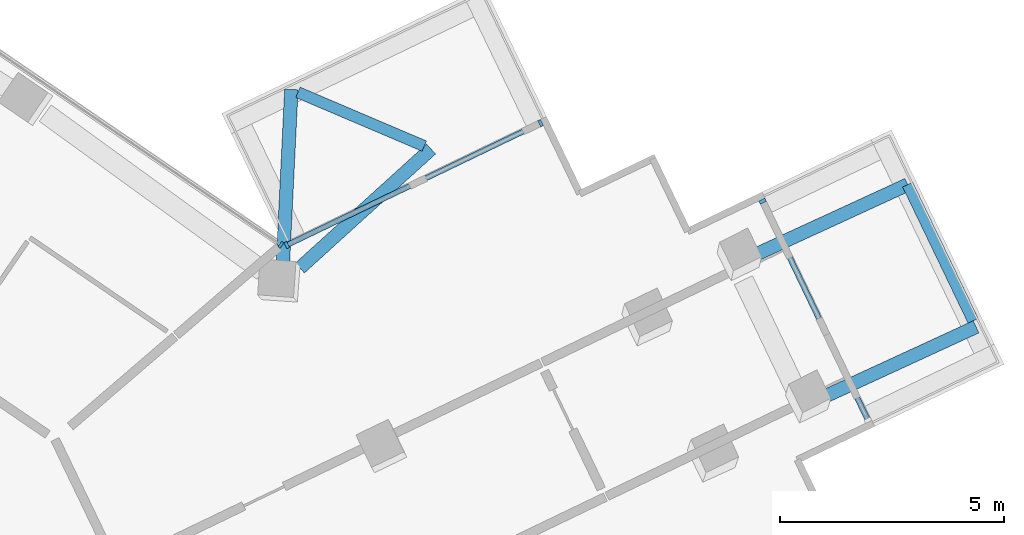
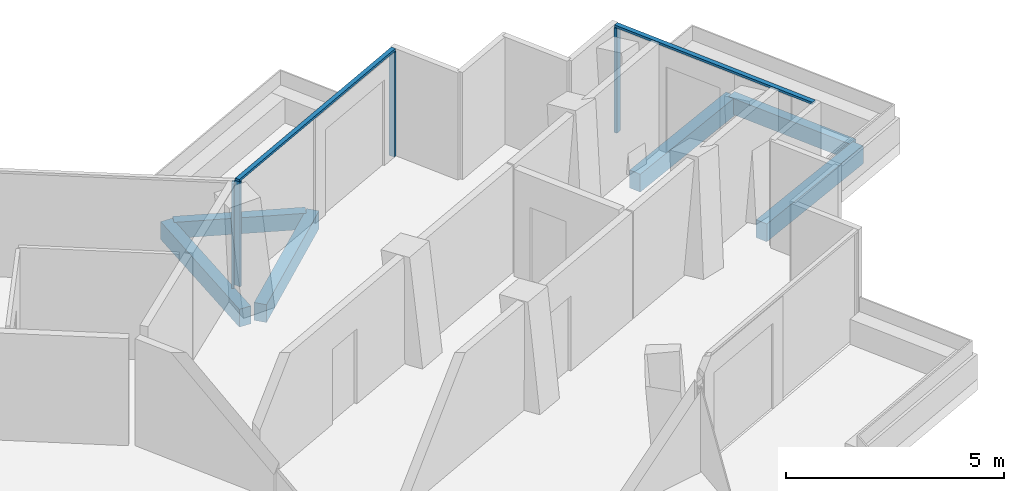
# One storey, part 10 of 23: 6 beams, 6 members, 3 elements without a shape of their own.
"""IFC4 building model written with IfcOpenShell, lengths in metres."""

from ifc_helpers import new_model, si_unit, direction, frame, origin, origin_2d, place, context, subcontext, project, spatial, rectangle, extrude, material, layer, layer_set, material_profile, profile_set, type_object, element, aggregate, save


model = new_model("IFC4")

# Units and contexts
model_context = context("Model", 3, precision=1e-05, world=origin(), true_north=direction((0.0, 1.0)))
body_context = subcontext(model_context, "Body", "Model", "MODEL_VIEW")
ifc_project = project(units=[si_unit("LENGTHUNIT", "METRE"), si_unit("AREAUNIT", "SQUARE_METRE"), si_unit("VOLUMEUNIT", "CUBIC_METRE"), si_unit("PLANEANGLEUNIT", "RADIAN"), si_unit("MASSUNIT", "GRAM", prefix="KILO")], contexts=[model_context])

# Site, building, storey
site_placement = place(None, origin())
site = spatial("IfcSite", under=ifc_project, at=site_placement, CompositionType="ELEMENT")
building_placement = place(site_placement, origin())
building = spatial("IfcBuilding", under=site, at=building_placement, Name="Verdalira Terraces Hotel", CompositionType="ELEMENT")
storey_placement = place(building_placement, frame((0.0, 0.0, 259.5)))
storey = spatial("IfcBuildingStorey", under=building, at=storey_placement, Name="L64", CompositionType="ELEMENT", Elevation=259.5)

# Beams
ifc_material_1 = material(Name="Concrete C40", Category="concrete")
ifc_material_profile_1 = material_profile(ifc_material_1, rectangle(XDim=0.300049, YDim=0.5, at=origin_2d()), Name="RC 300X500")
ifc_profile_set_1 = profile_set([ifc_material_profile_1], Name="Concrete C40")
beam_type_1 = type_object("IfcBeamType", Name="Balcony cantilever beam RC 300X500 C40", PredefinedType="BEAM", material=ifc_profile_set_1)
beam_1_placement = place(storey_placement, frame((30.99585, 12.890625, -0.560059), z_axis=(0.908351789, 0.418206919, 0.0), x_axis=(-0.418206919, 0.908351789, 0.0)))
element("IfcBeam", 1, at=beam_1_placement, inside=storey, type_object=beam_type_1, Name="Balcony cantilever beam R33-1", PredefinedType="BEAM", context=body_context, shape_type="SweptSolid", body=[
    extrude(rectangle(XDim=0.300049, YDim=0.5, at=origin_2d()), origin(), (0.0, 0.0, 1.0), 3.838379),
])
beam_2_placement = place(storey_placement, frame((29.475098, 16.065186, -0.560059), z_axis=(0.908357895, 0.418193657, 0.0), x_axis=(-0.418193657, 0.908357895, 0.0)))
element("IfcBeam", 2, at=beam_2_placement, inside=storey, type_object=beam_type_1, Name="Balcony cantilever beam R33-2", PredefinedType="BEAM", context=body_context, shape_type="SweptSolid", body=[
    extrude(rectangle(XDim=0.300049, YDim=0.5, at=origin_2d()), origin(), (0.0, 0.0, 1.0), 3.833252),
])
beam_3_placement = place(storey_placement, frame((19.402344, 15.80835, -0.560059), z_axis=(0.740666815, 0.671872509, 0.0), x_axis=(-0.671872509, 0.740666815, 0.0)))
element("IfcBeam", 3, at=beam_3_placement, inside=storey, type_object=beam_type_1, Name="Balcony cantilever beam R38-1", PredefinedType="BEAM", context=body_context, shape_type="SweptSolid", body=[
    extrude(rectangle(XDim=0.300049, YDim=0.5, at=origin_2d()), origin(), (0.0, 0.0, 1.0), 3.949951),
])
beam_4_placement = place(storey_placement, frame((19.02002, 15.843506, -0.560059), z_axis=(0.048639842, 0.998816382, 0.0), x_axis=(-0.998816382, 0.048639842, 0.0)))
element("IfcBeam", 4, at=beam_4_placement, inside=storey, type_object=beam_type_1, Name="Balcony cantilever beam R38-2", PredefinedType="BEAM", context=body_context, shape_type="SweptSolid", body=[
    extrude(rectangle(XDim=0.300049, YDim=0.5, at=origin_2d()), origin(), (0.0, 0.0, 1.0), 3.950195),
])
ifc_material_2 = material(Name="Concrete C40", Category="concrete")
ifc_material_profile_2 = material_profile(ifc_material_2, rectangle(XDim=0.25, YDim=0.449951, at=origin_2d()), Name="RC 250X450")
ifc_profile_set_2 = profile_set([ifc_material_profile_2], Name="Concrete C40")
beam_type_2 = type_object("IfcBeamType", Name="Balcony edge beam RC 250X450 C40", PredefinedType="BEAM", material=ifc_profile_set_2)
beam_5_placement = place(storey_placement, frame((34.41748, 14.631104, -0.534912), z_axis=(-0.433366857, 0.901217603, 0.0), x_axis=(-0.901217603, -0.433366857, 0.0)))
element("IfcBeam", 5, at=beam_5_placement, inside=storey, type_object=beam_type_2, Name="Balcony edge beam R33-1", PredefinedType="BEAM", context=body_context, shape_type="SweptSolid", body=[
    extrude(rectangle(XDim=0.25, YDim=0.449951, at=origin_2d()), origin(), (0.0, 0.0, 1.0), 3.370117),
])
beam_6_placement = place(storey_placement, frame((22.176025, 18.526855, -0.534912), z_axis=(-0.920062306, 0.391772067, 0.0), x_axis=(-0.391772067, -0.920062306, 0.0)))
element("IfcBeam", 6, at=beam_6_placement, inside=storey, type_object=beam_type_2, Name="Balcony edge beam R38-1", PredefinedType="BEAM", context=body_context, shape_type="SweptSolid", body=[
    extrude(rectangle(XDim=0.25, YDim=0.449951, at=origin_2d()), origin(), (0.0, 0.0, 1.0), 3.061523),
])

# Curtain wall, member
ifc_material_3 = material(Name="Clear glass", Category="glass")
ifc_layer_1 = layer(ifc_material_3, 0.14990234375)
ifc_layer_set_1 = layer_set([ifc_layer_1], Name="CW1 curtain wall")
curtain_wall_type_1 = type_object("IfcCurtainWallType", Name="CW1 curtain wall", PredefinedType="NOTDEFINED", material=ifc_layer_set_1)
curtain_wall_1_placement = place(storey_placement, origin())
curtain_wall_1 = element("IfcCurtainWall", 7, at=curtain_wall_1_placement, inside=storey, type_object=curtain_wall_type_1, Name="CW1 curtain wall L64 edge 39", PredefinedType="NOTDEFINED")
ifc_material_4 = material(Name="Terracotta frame", Category="masonry")
ifc_material_profile_3 = material_profile(ifc_material_4, rectangle(XDim=0.060059, YDim=0.149902, at=origin_2d()), Name="MU 60x150")
ifc_profile_set_3 = profile_set([ifc_material_profile_3], Name="Terracotta frame")
member_type_1 = type_object("IfcMemberType", Name="CW1 mullion 60x150", PredefinedType="MULLION", material=ifc_profile_set_3)
member_1_placement = place(storey_placement, frame((18.978516, 16.325195, 0.0), z_axis=(0.0, 0.0, 1.0), x_axis=(-0.825901536, 0.563814377, 0.0)))
member_1 = element("IfcMember", 8, at=member_1_placement, type_object=member_type_1, Name="CW1 mullion", PredefinedType="MULLION", context=body_context, shape_type="SweptSolid", body=[
    extrude(rectangle(XDim=0.060059, YDim=0.149902, at=origin_2d()), origin(), (0.0, 0.0, 1.0), 2.935059),
])
aggregate(curtain_wall_1, [member_1])

# Curtain wall, members
ifc_material_5 = material(Name="Clear glass", Category="glass")
ifc_layer_2 = layer(ifc_material_5, 0.14990234375)
ifc_layer_set_2 = layer_set([ifc_layer_2], Name="CW2 curtain wall")
curtain_wall_type_2 = type_object("IfcCurtainWallType", Name="CW2 curtain wall", PredefinedType="NOTDEFINED", material=ifc_layer_set_2)
curtain_wall_2_placement = place(storey_placement, origin())
curtain_wall_2 = element("IfcCurtainWall", 9, at=curtain_wall_2_placement, inside=storey, type_object=curtain_wall_type_2, Name="CW2 curtain wall L64 edge 38", PredefinedType="NOTDEFINED")
ifc_material_6 = material(Name="Terracotta frame", Category="masonry")
ifc_material_profile_4 = material_profile(ifc_material_6, rectangle(XDim=0.070068, YDim=0.149902, at=origin_2d()), Name="MU 70x150")
ifc_profile_set_4 = profile_set([ifc_material_profile_4], Name="Terracotta frame")
member_type_2 = type_object("IfcMemberType", Name="CW2 mullion 70x150", PredefinedType="MULLION", material=ifc_profile_set_4)
member_2_placement = place(storey_placement, frame((24.769043, 19.039062, 0.0), z_axis=(0.0, 0.0, 1.0), x_axis=(-0.901228342, -0.433344523, 0.0)))
member_2 = element("IfcMember", 10, at=member_2_placement, type_object=member_type_2, Name="CW2 mullion", PredefinedType="MULLION", context=body_context, shape_type="SweptSolid", body=[
    extrude(rectangle(XDim=0.070068, YDim=0.149902, at=origin_2d()), origin(), (0.0, 0.0, 1.0), 2.935059),
])
member_3_placement = place(storey_placement, frame((19.109619, 16.317871, 0.0), z_axis=(0.0, 0.0, 1.0), x_axis=(-0.901228342, -0.433344523, 0.0)))
member_3 = element("IfcMember", 11, at=member_3_placement, type_object=member_type_2, Name="CW2 mullion", PredefinedType="MULLION", context=body_context, shape_type="SweptSolid", body=[
    extrude(rectangle(XDim=0.070068, YDim=0.149902, at=origin_2d()), origin(), (0.0, 0.0, 1.0), 2.935059),
])
ifc_material_7 = material(Name="Terracotta frame", Category="masonry")
ifc_material_profile_5 = material_profile(ifc_material_7, rectangle(XDim=0.11499, YDim=0.064941, at=origin_2d()), Name="TR 65x115")
ifc_profile_set_5 = profile_set([ifc_material_profile_5], Name="Terracotta frame")
member_type_3 = type_object("IfcMemberType", Name="CW2 transom 65x115", PredefinedType="USERDEFINED", material=ifc_profile_set_5)
member_4_placement = place(storey_placement, frame((24.800781, 19.054199, 2.967529), z_axis=(-0.901225859, -0.433349687, 0.0), x_axis=(0.433349687, -0.901225859, 0.0)))
member_4 = element("IfcMember", 12, at=member_4_placement, type_object=member_type_3, Name="CW2 transom", ObjectType="TRANSOM", PredefinedType="USERDEFINED", context=body_context, shape_type="SweptSolid", body=[
    extrude(rectangle(XDim=0.11499, YDim=0.064941, at=origin_2d()), origin(), (0.0, 0.0, 1.0), 6.349854),
])
aggregate(curtain_wall_2, [member_2, member_3, member_4])

ifc_material_8 = material(Name="Clear glass", Category="glass")
ifc_layer_3 = layer(ifc_material_8, 0.14990234375)
ifc_layer_set_3 = layer_set([ifc_layer_3], Name="CW3 curtain wall")
curtain_wall_type_3 = type_object("IfcCurtainWallType", Name="CW3 curtain wall", PredefinedType="NOTDEFINED", material=ifc_layer_set_3)
curtain_wall_3_placement = place(storey_placement, origin())
curtain_wall_3 = element("IfcCurtainWall", 13, at=curtain_wall_3_placement, inside=storey, type_object=curtain_wall_type_3, Name="CW3 curtain wall L64 edge 33", PredefinedType="NOTDEFINED")
ifc_material_9 = material(Name="Terracotta frame", Category="masonry")
ifc_material_profile_6 = material_profile(ifc_material_9, rectangle(XDim=0.080078, YDim=0.149902, at=origin_2d()), Name="MU 80x150")
ifc_profile_set_6 = profile_set([ifc_material_profile_6], Name="Terracotta frame")
member_type_4 = type_object("IfcMemberType", Name="CW3 mullion 80x150", PredefinedType="MULLION", material=ifc_profile_set_6)
member_5_placement = place(storey_placement, frame((29.722656, 17.298828, 0.0), z_axis=(0.0, 0.0, 1.0), x_axis=(-0.433344523, 0.901228342, 0.0)))
member_5 = element("IfcMember", 14, at=member_5_placement, type_object=member_type_4, Name="CW3 mullion", PredefinedType="MULLION", context=body_context, shape_type="SweptSolid", body=[
    extrude(rectangle(XDim=0.080078, YDim=0.149902, at=origin_2d()), origin(), (0.0, 0.0, 1.0), 2.935059),
])
ifc_material_10 = material(Name="Terracotta frame", Category="masonry")
ifc_material_profile_7 = material_profile(ifc_material_10, rectangle(XDim=0.120117, YDim=0.064941, at=origin_2d()), Name="TR 65x120")
ifc_profile_set_7 = profile_set([ifc_material_profile_7], Name="Terracotta frame")
member_type_5 = type_object("IfcMemberType", Name="CW3 transom 65x120", PredefinedType="USERDEFINED", material=ifc_profile_set_7)
member_6_placement = place(storey_placement, frame((32.088623, 12.37793, 2.967529), z_axis=(-0.43332841, 0.90123609, 0.0), x_axis=(-0.90123609, -0.43332841, 0.0)))
member_6 = element("IfcMember", 15, at=member_6_placement, type_object=member_type_5, Name="CW3 transom", ObjectType="TRANSOM", PredefinedType="USERDEFINED", context=body_context, shape_type="SweptSolid", body=[
    extrude(rectangle(XDim=0.120117, YDim=0.064941, at=origin_2d()), origin(), (0.0, 0.0, 1.0), 5.5),
])
aggregate(curtain_wall_3, [member_5, member_6])

save(model, "model.ifc")
